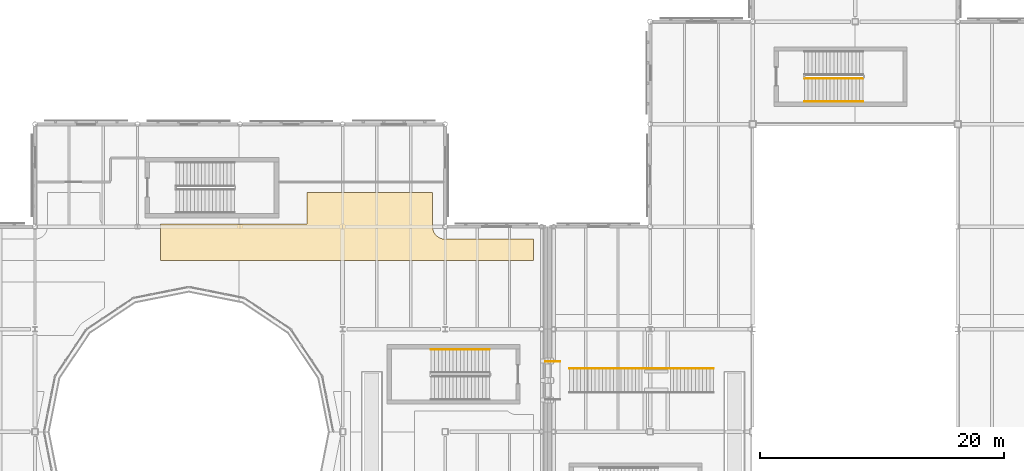
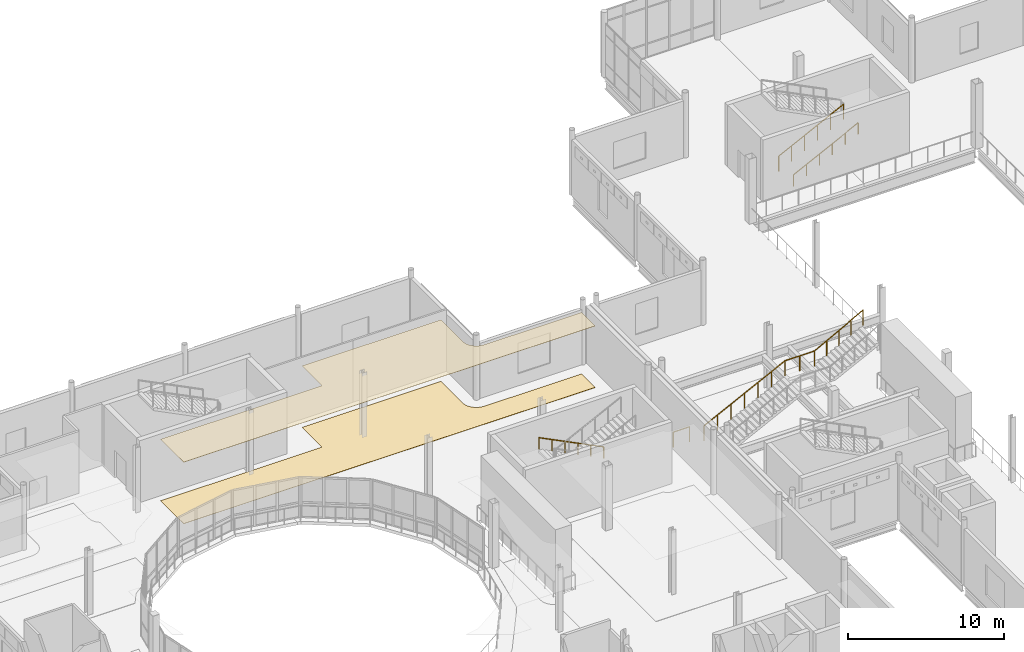
# One storey, part 97 of 104: 5 railings, 2 coverings.
"""IFC4 building model written with IfcOpenShell, lengths in metres."""

from ifc_helpers import new_model, si_unit, direction, frame, origin, origin_2d, place, context, subcontext, project, spatial, polyline, circle, outline, extrude, material, layer, layer_set, type_object, element, save


model = new_model("IFC4")

# Units and contexts
model_context = context("Model", 3, precision=1e-05, world=origin(), true_north=direction((0.0, 1.0)))
body_context = subcontext(model_context, "Body", "Model", "MODEL_VIEW")
ifc_project = project(units=[si_unit("LENGTHUNIT", "METRE"), si_unit("AREAUNIT", "SQUARE_METRE"), si_unit("VOLUMEUNIT", "CUBIC_METRE"), si_unit("PLANEANGLEUNIT", "RADIAN"), si_unit("MASSUNIT", "GRAM", prefix="KILO"), si_unit("THERMODYNAMICTEMPERATUREUNIT", "KELVIN")], contexts=[model_context])

# Site, building, storey
site_placement = place(None, origin())
site = spatial("IfcSite", under=ifc_project, at=site_placement, CompositionType="ELEMENT")
building_placement = place(site_placement, origin())
building = spatial("IfcBuilding", under=site, at=building_placement, Name="Lustrewick Department Store", CompositionType="ELEMENT")
storey_placement = place(building_placement, frame((0.0, 0.0, 11.39990234375)))
storey = spatial("IfcBuildingStorey", under=building, at=storey_placement, Name="L03", CompositionType="ELEMENT", Elevation=11.39990234375)

# Coverings
ifc_material_1 = material(Name="Perforated mineral-fibre acoustic ceiling board", Category="gypsum")
ifc_layer_1 = layer(ifc_material_1, 0.02490234375, Name="Perforated mineral-fibre acoustic ceiling board")
ifc_layer_set_1 = layer_set([ifc_layer_1], Name="Perforated mineral-fibre acoustic ceiling board")
covering_type_1 = type_object("IfcCoveringType", Name="COV-CEIL", PredefinedType="CEILING", material=ifc_layer_set_1)
covering_1_placement = place(storey_placement, frame((0.0, 0.0, 4.820068359375)))
element("IfcCovering", 1, at=covering_1_placement, inside=storey, type_object=covering_type_1, Name="L03 Fine Porcelain Showroom Acoustic Ceiling", PredefinedType="CEILING", context=body_context, shape_type="SweptSolid", body=[
    extrude(outline(polyline([(49.3798828125, 86.781494140625), (39.080078125, 86.781494140625), (39.080078125, 84.219970703125), (36.526611328125, 84.219970703125), (36.48779296875, 84.214111328125), (36.403076171875, 84.2099609375), (27.090087890625, 84.2099609375), (27.090087890625, 81.236572265625), (57.6298828125, 81.236572265625), (57.6298828125, 82.97998046875), (50.39892578125, 82.97998046875), (50.356201171875, 82.981201171875), (50.339599609375, 82.98193359375), (50.260009765625, 82.98974609375), (50.24267578125, 82.9921875), (50.16259765625, 83.008056640625), (50.1455078125, 83.012451171875), (50.062255859375, 83.03759765625), (50.04541015625, 83.043701171875), (49.97509765625, 83.07275390625), (49.959228515625, 83.080322265625), (49.882080078125, 83.121337890625), (49.86669921875, 83.130615234375), (49.7978515625, 83.177001953125), (49.78369140625, 83.1875), (49.72314453125, 83.237060546875), (49.710205078125, 83.248779296875), (49.64892578125, 83.31005859375), (49.63720703125, 83.3232421875), (49.58740234375, 83.3837890625), (49.576904296875, 83.397705078125), (49.530517578125, 83.466796875), (49.521484375, 83.482177734375), (49.480224609375, 83.559326171875), (49.472900390625, 83.5751953125), (49.443603515625, 83.6455078125), (49.437744140625, 83.662109375), (49.412353515625, 83.74560546875), (49.408203125, 83.7626953125), (49.392333984375, 83.8427734375), (49.389892578125, 83.860107421875), (49.3818359375, 83.939453125), (49.381103515625, 83.9560546875), (49.3798828125, 83.9990234375), (49.3798828125, 86.781494140625)])), origin(), (0.0, 0.0, 1.0), 0.025146484375),
])
ifc_material_2 = material(Name="Polished terrazzo and porcelain floor finish", Category="masonry")
ifc_layer_2 = layer(ifc_material_2, 0.02001953125, Name="Polished terrazzo and porcelain floor finish")
ifc_layer_set_2 = layer_set([ifc_layer_2], Name="Polished terrazzo and porcelain floor finish")
covering_type_2 = type_object("IfcCoveringType", Name="COV-FLR", PredefinedType="FLOORING", material=ifc_layer_set_2)
covering_2_placement = place(storey_placement, origin())
element("IfcCovering", 2, at=covering_2_placement, inside=storey, type_object=covering_type_2, Name="L03 Fine Porcelain Showroom Terrazzo Flooring", PredefinedType="FLOORING", context=body_context, shape_type="SweptSolid", body=[
    extrude(outline(polyline([(49.3798828125, 86.781494140625), (39.080078125, 86.781494140625), (39.080078125, 84.219970703125), (36.526611328125, 84.219970703125), (36.48779296875, 84.214111328125), (36.403076171875, 84.2099609375), (27.090087890625, 84.2099609375), (27.090087890625, 81.236572265625), (57.6298828125, 81.236572265625), (57.6298828125, 82.97998046875), (50.39892578125, 82.97998046875), (50.356201171875, 82.981201171875), (50.339599609375, 82.98193359375), (50.260009765625, 82.98974609375), (50.24267578125, 82.9921875), (50.16259765625, 83.008056640625), (50.1455078125, 83.012451171875), (50.062255859375, 83.03759765625), (50.04541015625, 83.043701171875), (49.97509765625, 83.07275390625), (49.959228515625, 83.080322265625), (49.882080078125, 83.121337890625), (49.86669921875, 83.130615234375), (49.7978515625, 83.177001953125), (49.78369140625, 83.1875), (49.72314453125, 83.237060546875), (49.710205078125, 83.248779296875), (49.64892578125, 83.31005859375), (49.63720703125, 83.3232421875), (49.58740234375, 83.3837890625), (49.576904296875, 83.397705078125), (49.530517578125, 83.466796875), (49.521484375, 83.482177734375), (49.480224609375, 83.559326171875), (49.472900390625, 83.5751953125), (49.443603515625, 83.6455078125), (49.437744140625, 83.662109375), (49.412353515625, 83.74560546875), (49.408203125, 83.7626953125), (49.392333984375, 83.8427734375), (49.389892578125, 83.860107421875), (49.3818359375, 83.939453125), (49.381103515625, 83.9560546875), (49.3798828125, 83.9990234375), (49.3798828125, 86.781494140625)])), origin(), (0.0, 0.0, 1.0), 0.02001953125),
])

# Railings
ifc_material_3 = material(Name="Laminated safety glass and bronze atrium balustrade", Category="glass")
railing_type_1 = type_object("IfcRailingType", Name="RL-BAL", PredefinedType="BALUSTRADE", material=ifc_material_3)
railing_1_placement = place(storey_placement, frame((60.60009765625, 72.39990234375, 0.150146484375)))
element("IfcRailing", 3, at=railing_1_placement, inside=storey, type_object=railing_type_1, Name="L03 Feature Stair AST03 Balustrade G2", PredefinedType="BALUSTRADE", context=body_context, shape_type="SweptSolid", body=[
    extrude(circle(Radius=0.02392578125, at=origin_2d()), frame((0.0, 0.0, 1.17578125), z_axis=(0.894427191, 0.0, 0.4472135955), x_axis=(0.0, 1.0, 0.0)), (0.0, 0.0, 1.0), 6.708251953125),
    extrude(circle(Radius=0.02392578125, at=origin_2d()), frame((6.0, 0.0, 4.17578125), z_axis=(1.0, 0.0, 0.0), x_axis=(0.0, 1.0, 0.0)), (0.0, 0.0, 1.0), 2.199951171875),
    extrude(circle(Radius=0.02392578125, at=origin_2d()), frame((8.199951171875, 0.0, 4.17578125), z_axis=(0.879288844789, 0.0, 0.476288911721), x_axis=(0.0, 1.0, 0.0)), (0.0, 0.0, 1.0), 4.093994140625),
    extrude(circle(Radius=0.02099609375, at=origin_2d()), origin(), (0.0, 0.0, 1.0), 1.15185546875),
    extrude(circle(Radius=0.02099609375, at=origin_2d()), frame((1.0, 0.0, 0.5)), (0.0, 0.0, 1.0), 1.15185546875),
    extrude(circle(Radius=0.02099609375, at=origin_2d()), frame((2.0, 0.0, 1.0)), (0.0, 0.0, 1.0), 1.15185546875),
    extrude(circle(Radius=0.02099609375, at=origin_2d()), frame((3.0, 0.0, 1.5)), (0.0, 0.0, 1.0), 1.15185546875),
    extrude(circle(Radius=0.02099609375, at=origin_2d()), frame((4.0, 0.0, 2.0)), (0.0, 0.0, 1.0), 1.15185546875),
    extrude(circle(Radius=0.02099609375, at=origin_2d()), frame((5.0, 0.0, 2.5)), (0.0, 0.0, 1.0), 1.15185546875),
    extrude(circle(Radius=0.02099609375, at=origin_2d()), frame((6.0, 0.0, 3.0)), (0.0, 0.0, 1.0), 1.15185546875),
    extrude(circle(Radius=0.02099609375, at=origin_2d()), frame((7.10009765625, 0.0, 3.0)), (0.0, 0.0, 1.0), 1.15185546875),
    extrude(circle(Radius=0.02099609375, at=origin_2d()), frame((8.199951171875, 0.0, 3.0)), (0.0, 0.0, 1.0), 1.15185546875),
    extrude(circle(Radius=0.02099609375, at=origin_2d()), frame((9.099853515625, 0.0, 3.487548828125)), (0.0, 0.0, 1.0), 1.15185546875),
    extrude(circle(Radius=0.02099609375, at=origin_2d()), frame((10.0, 0.0, 3.97509765625)), (0.0, 0.0, 1.0), 1.15185546875),
    extrude(circle(Radius=0.02099609375, at=origin_2d()), frame((10.89990234375, 0.0, 4.46240234375)), (0.0, 0.0, 1.0), 1.15185546875),
    extrude(circle(Radius=0.02099609375, at=origin_2d()), frame((11.7998046875, 0.0, 4.949951171875)), (0.0, 0.0, 1.0), 1.15185546875),
])
railing_2_placement = place(storey_placement, frame((58.639892578125, 72.9599609375, 0.0)))
element("IfcRailing", 4, at=railing_2_placement, inside=storey, type_object=railing_type_1, Name="L03 Skybridge SB12 North Guard 0031", PredefinedType="BALUSTRADE", context=body_context, shape_type="SweptSolid", body=[
    extrude(circle(Radius=0.02392578125, at=origin_2d()), frame((0.0, 0.0, 1.17578125), z_axis=(1.0, 0.0, 0.0), x_axis=(0.0, 1.0, 0.0)), (0.0, 0.0, 1.0), 1.190185546875),
    extrude(circle(Radius=0.02099609375, at=origin_2d()), origin(), (0.0, 0.0, 1.0), 1.15185546875),
    extrude(circle(Radius=0.02099609375, at=origin_2d()), frame((1.190185546875, 0.0, 0.0)), (0.0, 0.0, 1.0), 1.15185546875),
])
ifc_material_4 = material(Name="Painted tubular steel stairwell guardrail", Category="steel")
railing_type_2 = type_object("IfcRailingType", Name="RL-STG", PredefinedType="GUARDRAIL", material=ifc_material_4)
railing_3_placement = place(storey_placement, frame((79.85009765625, 96.14990234375, 0.150146484375)))
element("IfcRailing", 5, at=railing_3_placement, inside=storey, type_object=railing_type_2, Name="L03 ST06 Stair Guard 1", PredefinedType="GUARDRAIL", context=body_context, shape_type="SweptSolid", body=[
    extrude(circle(Radius=0.02392578125, at=origin_2d()), frame((0.0, 0.0, 1.17578125), z_axis=(0.894427191, 0.0, 0.4472135955), x_axis=(0.0, 1.0, 0.0)), (0.0, 0.0, 1.0), 5.366455078125),
    extrude(circle(Radius=0.02099609375, at=origin_2d()), origin(), (0.0, 0.0, 1.0), 1.15185546875),
    extrude(circle(Radius=0.02099609375, at=origin_2d()), frame((0.9599609375, 0.0, 0.47998046875)), (0.0, 0.0, 1.0), 1.15185546875),
    extrude(circle(Radius=0.02099609375, at=origin_2d()), frame((1.919921875, 0.0, 0.9599609375)), (0.0, 0.0, 1.0), 1.15185546875),
    extrude(circle(Radius=0.02099609375, at=origin_2d()), frame((2.8798828125, 0.0, 1.43994140625)), (0.0, 0.0, 1.0), 1.15185546875),
    extrude(circle(Radius=0.02099609375, at=origin_2d()), frame((3.83984375, 0.0, 1.919921875)), (0.0, 0.0, 1.0), 1.15185546875),
    extrude(circle(Radius=0.02099609375, at=origin_2d()), frame((4.7998046875, 0.0, 2.39990234375)), (0.0, 0.0, 1.0), 1.15185546875),
])
ifc_material_5 = material(Name="Brushed stainless steel wall handrail", Category="steel")
railing_type_3 = type_object("IfcRailingType", Name="RL-STH", PredefinedType="HANDRAIL", material=ifc_material_5)
railing_4_placement = place(storey_placement, frame((54.050048828125, 73.949951171875, 0.150146484375)))
element("IfcRailing", 6, at=railing_4_placement, inside=storey, type_object=railing_type_3, Name="L03 ST02 Stair Handrail 1", PredefinedType="HANDRAIL", context=body_context, shape_type="SweptSolid", body=[
    extrude(circle(Radius=0.02392578125, at=origin_2d()), frame((0.0, 0.0, 0.8759765625), z_axis=(-0.894436289399, 0.0, 0.44719539824), x_axis=(0.0, -1.0, 0.0)), (0.0, 0.0, 1.0), 5.366455078125),
    extrude(circle(Radius=0.02099609375, at=origin_2d()), origin(), (0.0, 0.0, 1.0), 0.851806640625),
    extrude(circle(Radius=0.02099609375, at=origin_2d()), frame((-0.9599609375, 0.0, 0.47998046875)), (0.0, 0.0, 1.0), 0.851806640625),
    extrude(circle(Radius=0.02099609375, at=origin_2d()), frame((-1.919921875, 0.0, 0.9599609375)), (0.0, 0.0, 1.0), 0.851806640625),
    extrude(circle(Radius=0.02099609375, at=origin_2d()), frame((-2.880126953125, 0.0, 1.43994140625)), (0.0, 0.0, 1.0), 0.851806640625),
    extrude(circle(Radius=0.02099609375, at=origin_2d()), frame((-3.840087890625, 0.0, 1.919921875)), (0.0, 0.0, 1.0), 0.851806640625),
    extrude(circle(Radius=0.02099609375, at=origin_2d()), frame((-4.800048828125, 0.0, 2.39990234375)), (0.0, 0.0, 1.0), 0.851806640625),
])
railing_5_placement = place(storey_placement, frame((79.85009765625, 94.25, 0.150146484375)))
element("IfcRailing", 7, at=railing_5_placement, inside=storey, type_object=railing_type_3, Name="L03 ST06 Stair Handrail 1", PredefinedType="HANDRAIL", context=body_context, shape_type="SweptSolid", body=[
    extrude(circle(Radius=0.02392578125, at=origin_2d()), frame((0.0, 0.0, 0.8759765625), z_axis=(0.894427191, 0.0, 0.4472135955), x_axis=(0.0, 1.0, 0.0)), (0.0, 0.0, 1.0), 5.366455078125),
    extrude(circle(Radius=0.02099609375, at=origin_2d()), origin(), (0.0, 0.0, 1.0), 0.851806640625),
    extrude(circle(Radius=0.02099609375, at=origin_2d()), frame((0.9599609375, 0.0, 0.47998046875)), (0.0, 0.0, 1.0), 0.851806640625),
    extrude(circle(Radius=0.02099609375, at=origin_2d()), frame((1.919921875, 0.0, 0.9599609375)), (0.0, 0.0, 1.0), 0.851806640625),
    extrude(circle(Radius=0.02099609375, at=origin_2d()), frame((2.8798828125, 0.0, 1.43994140625)), (0.0, 0.0, 1.0), 0.851806640625),
    extrude(circle(Radius=0.02099609375, at=origin_2d()), frame((3.83984375, 0.0, 1.919921875)), (0.0, 0.0, 1.0), 0.851806640625),
    extrude(circle(Radius=0.02099609375, at=origin_2d()), frame((4.7998046875, 0.0, 2.39990234375)), (0.0, 0.0, 1.0), 0.851806640625),
])

save(model, "model.ifc")
